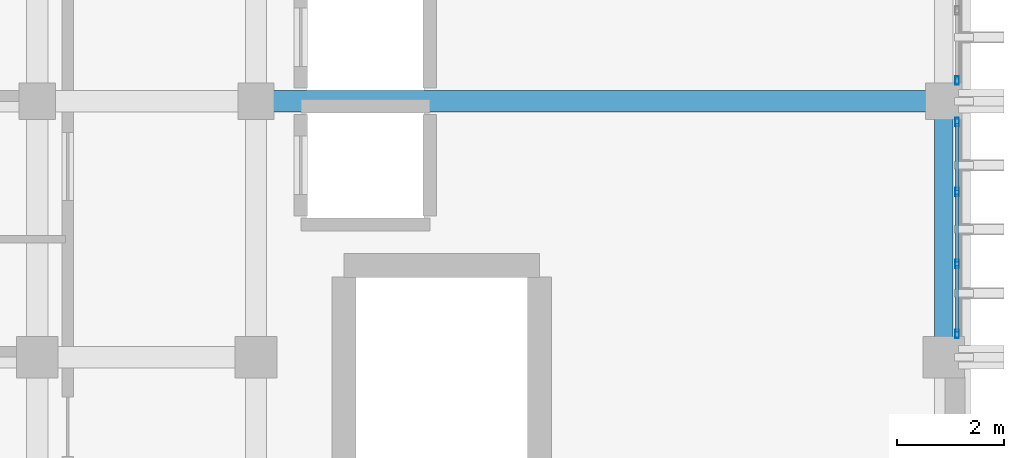
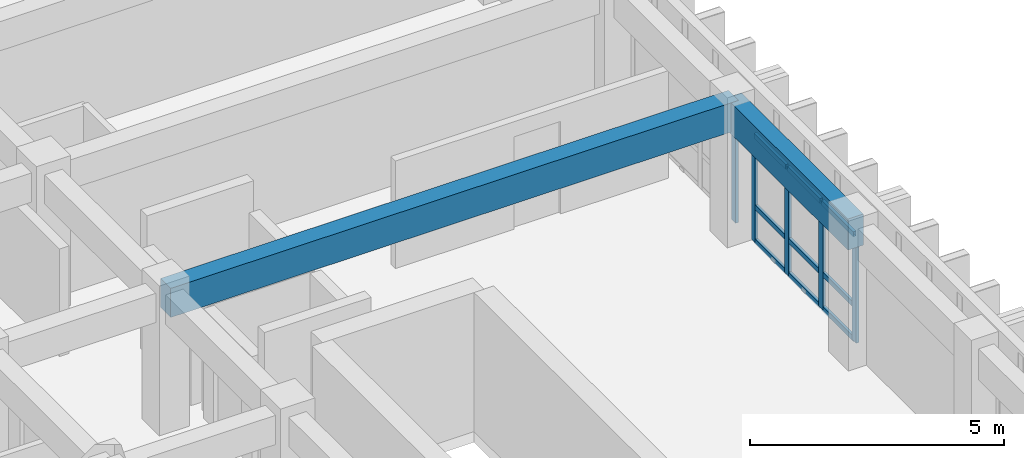
# One storey, part 22 of 68: 14 members, 2 beams, 2 elements without a shape of their own.
"""IFC4 building model written with IfcOpenShell, lengths in metres."""

from ifc_helpers import new_model, si_unit, direction, frame, origin, origin_2d, place, context, subcontext, project, spatial, rectangle, hollow_rectangle, extrude, material, layer, layer_set, material_profile, profile_set, type_object, element, aggregate, save


model = new_model("IFC4")

# Units and contexts
model_context = context("Model", 3, precision=1e-05, world=origin(), true_north=direction((0.0, 1.0)))
body_context = subcontext(model_context, "Body", "Model", "MODEL_VIEW")
ifc_project = project(units=[si_unit("LENGTHUNIT", "METRE"), si_unit("AREAUNIT", "SQUARE_METRE"), si_unit("VOLUMEUNIT", "CUBIC_METRE"), si_unit("PLANEANGLEUNIT", "RADIAN"), si_unit("MASSUNIT", "GRAM", prefix="KILO")], contexts=[model_context])

# Site, building, storey
site_placement = place(None, origin())
site = spatial("IfcSite", under=ifc_project, at=site_placement, CompositionType="ELEMENT")
building_placement = place(site_placement, origin())
building = spatial("IfcBuilding", under=site, at=building_placement, Name="Nakhvara Creek Congress Hotel", CompositionType="ELEMENT")
storey_placement = place(building_placement, frame((0.0, 0.0, 24.60009765625)))
storey = spatial("IfcBuildingStorey", under=building, at=storey_placement, Name="L05", CompositionType="ELEMENT", Elevation=24.60009765625)

# Beams
ifc_material_1 = material(Name="Concrete C40/50", Category="concrete")
ifc_material_profile_1 = material_profile(ifc_material_1, rectangle(XDim=0.39990234375, YDim=0.699951171875, at=origin_2d()), Name="RC-BM 400x700", Category="LoadBearing")
ifc_profile_set_1 = profile_set([ifc_material_profile_1], Name="Concrete C40/50")
beam_type_1 = type_object("IfcBeamType", Name="BM-RC-400X700", PredefinedType="BEAM", material=ifc_profile_set_1)
beam_1_placement = place(storey_placement, frame((166.449951171875, 62.39990234375, 2.989990234375), z_axis=(1.0, 0.0, 0.0), x_axis=(0.0, 1.0, 0.0)))
element("IfcBeam", 1, at=beam_1_placement, inside=storey, type_object=beam_type_1, Name="Beam B05-L05-2186", PredefinedType="BEAM", context=body_context, shape_type="SweptSolid", body=[
    extrude(rectangle(XDim=0.39990234375, YDim=0.699951171875, at=origin_2d()), origin(), (0.0, 0.0, 1.0), 12.900146484375),
])
ifc_material_profile_2 = material_profile(ifc_material_1, rectangle(XDim=0.35009765625, YDim=0.75, at=origin_2d()), Name="RC-SPANDREL 350x750", Category="LoadBearing")
ifc_profile_set_2 = profile_set([ifc_material_profile_2], Name="Concrete C40/50")
beam_type_2 = type_object("IfcBeamType", Name="BM-SPN-350X750", PredefinedType="SPANDREL", material=ifc_profile_set_2)
beam_2_placement = place(storey_placement, frame((179.35009765625, 57.60009765625, 2.96484375), z_axis=(0.0, 1.0, 0.0), x_axis=(-1.0, 0.0, 0.0)))
element("IfcBeam", 2, at=beam_2_placement, inside=storey, type_object=beam_type_2, Name="Beam SP1-L05-2153", PredefinedType="SPANDREL", context=body_context, shape_type="SweptSolid", body=[
    extrude(rectangle(XDim=0.35009765625, YDim=0.75, at=origin_2d()), origin(), (0.0, 0.0, 1.0), 4.7998046875),
])

# Curtain wall, members
ifc_material_2 = material(Name="Bronze-anodised aluminium AW-6063-T6 and double-silver low-E glass", Category="aluminium")
ifc_layer = layer(ifc_material_2, 0.199951171875)
ifc_layer_set = layer_set([ifc_layer], Name="Bronze-anodised aluminium AW-6063-T6 and double-silver low-E glass")
curtain_wall_type = type_object("IfcCurtainWallType", Name="CW-HTL-UNIT", PredefinedType="USERDEFINED", material=ifc_layer_set)
curtain_wall_1_placement = place(storey_placement, origin())
curtain_wall_1 = element("IfcCurtainWall", 3, at=curtain_wall_1_placement, inside=storey, type_object=curtain_wall_type, Name="Curtain Wall CW210", ObjectType="UNITISED", PredefinedType="USERDEFINED")
ifc_material_3 = material(Name="Bronze-anodised aluminium AW-6063-T6", Category="aluminium")
ifc_material_profile_3 = material_profile(ifc_material_3, hollow_rectangle(XDim=0.06494140625, YDim=0.159912109375, WallThickness=0.00390625, at=origin_2d()), Name="ALU-MULL 65x160x4", Category="LoadBearing")
ifc_profile_set_3 = profile_set([ifc_material_profile_3], Name="Bronze-anodised aluminium AW-6063-T6")
member_type_1 = type_object("IfcMemberType", Name="CW-MULL-160", PredefinedType="MULLION", material=ifc_profile_set_3)
member_1_placement = place(storey_placement, frame((179.60009765625, 62.012451171875, 0.0), z_axis=(0.0, 0.0, 1.0), x_axis=(1.0, 0.0, 0.0)))
member_1 = element("IfcMember", 4, at=member_1_placement, type_object=member_type_1, Name="CW210 mullion 1", PredefinedType="MULLION", context=body_context, shape_type="SweptSolid", body=[
    extrude(hollow_rectangle(XDim=0.06494140625, YDim=0.159912109375, WallThickness=0.00390625, at=origin_2d()), origin(), (0.0, 0.0, 1.0), 2.581787109375),
])
member_2_placement = place(storey_placement, frame((179.60009765625, 60.6982421875, 0.0), z_axis=(0.0, 0.0, 1.0), x_axis=(1.0, 0.0, 0.0)))
member_2 = element("IfcMember", 5, at=member_2_placement, type_object=member_type_1, Name="CW210 mullion 2", PredefinedType="MULLION", context=body_context, shape_type="SweptSolid", body=[
    extrude(hollow_rectangle(XDim=0.06494140625, YDim=0.159912109375, WallThickness=0.00390625, at=origin_2d()), origin(), (0.0, 0.0, 1.0), 2.581787109375),
])
member_3_placement = place(storey_placement, frame((179.60009765625, 59.3515625, 0.0), z_axis=(0.0, 0.0, 1.0), x_axis=(1.0, 0.0, 0.0)))
member_3 = element("IfcMember", 6, at=member_3_placement, type_object=member_type_1, Name="CW210 mullion 3", PredefinedType="MULLION", context=body_context, shape_type="SweptSolid", body=[
    extrude(hollow_rectangle(XDim=0.06494140625, YDim=0.159912109375, WallThickness=0.00390625, at=origin_2d()), origin(), (0.0, 0.0, 1.0), 2.581787109375),
])
member_4_placement = place(storey_placement, frame((179.60009765625, 58.03759765625, 0.0), z_axis=(0.0, 0.0, 1.0), x_axis=(1.0, 0.0, 0.0)))
member_4 = element("IfcMember", 7, at=member_4_placement, type_object=member_type_1, Name="CW210 mullion 4", PredefinedType="MULLION", context=body_context, shape_type="SweptSolid", body=[
    extrude(hollow_rectangle(XDim=0.06494140625, YDim=0.159912109375, WallThickness=0.00390625, at=origin_2d()), origin(), (0.0, 0.0, 1.0), 2.581787109375),
])

# Curtain wall, member
curtain_wall_2_placement = place(storey_placement, origin())
curtain_wall_2 = element("IfcCurtainWall", 8, at=curtain_wall_2_placement, inside=storey, type_object=curtain_wall_type, Name="Curtain Wall CW212", ObjectType="UNITISED", PredefinedType="USERDEFINED")
member_5_placement = place(storey_placement, frame((179.60009765625, 62.78759765625, 0.0), z_axis=(0.0, 0.0, 1.0), x_axis=(1.0, 0.0, 0.0)))
member_5 = element("IfcMember", 9, at=member_5_placement, type_object=member_type_1, Name="CW212 mullion 4", PredefinedType="MULLION", context=body_context, shape_type="SweptSolid", body=[
    extrude(hollow_rectangle(XDim=0.06494140625, YDim=0.159912109375, WallThickness=0.00390625, at=origin_2d()), origin(), (0.0, 0.0, 1.0), 2.581787109375),
])
aggregate(curtain_wall_2, [member_5])

# Member
ifc_material_profile_4 = material_profile(ifc_material_3, hollow_rectangle(XDim=0.06494140625, YDim=0.1201171875, WallThickness=0.00390625, at=origin_2d()), Name="ALU-TRAN 65x120x4", Category="LoadBearing")
ifc_profile_set_4 = profile_set([ifc_material_profile_4], Name="Bronze-anodised aluminium AW-6063-T6")
member_type_2 = type_object("IfcMemberType", Name="CW-TRAN-120", PredefinedType="USERDEFINED", material=ifc_profile_set_4)
member_6_placement = place(storey_placement, frame((179.60009765625, 61.97998046875, 0.032470703125), z_axis=(0.0, -1.0, 0.0), x_axis=(1.0, 0.0, 0.0)))
member_6 = element("IfcMember", 10, at=member_6_placement, type_object=member_type_2, Name="CW210 transom 1.1", ObjectType="TRANSOM", PredefinedType="USERDEFINED", context=body_context, shape_type="SweptSolid", body=[
    extrude(hollow_rectangle(XDim=0.06494140625, YDim=0.1201171875, WallThickness=0.00390625, at=origin_2d()), origin(), (0.0, 0.0, 1.0), 1.249267578125),
])

member_7_placement = place(storey_placement, frame((179.60009765625, 61.97998046875, 0.849853515625), z_axis=(0.0, -1.0, 0.0), x_axis=(1.0, 0.0, 0.0)))
member_7 = element("IfcMember", 11, at=member_7_placement, type_object=member_type_2, Name="CW210 transom 1.2", ObjectType="TRANSOM", PredefinedType="USERDEFINED", context=body_context, shape_type="SweptSolid", body=[
    extrude(hollow_rectangle(XDim=0.06494140625, YDim=0.1201171875, WallThickness=0.00390625, at=origin_2d()), origin(), (0.0, 0.0, 1.0), 1.249267578125),
])

member_8_placement = place(storey_placement, frame((179.60009765625, 61.97998046875, 2.54931640625), z_axis=(0.0, -1.0, 0.0), x_axis=(1.0, 0.0, 0.0)))
member_8 = element("IfcMember", 12, at=member_8_placement, type_object=member_type_2, Name="CW210 transom 1.3", ObjectType="TRANSOM", PredefinedType="USERDEFINED", context=body_context, shape_type="SweptSolid", body=[
    extrude(hollow_rectangle(XDim=0.06494140625, YDim=0.1201171875, WallThickness=0.00390625, at=origin_2d()), origin(), (0.0, 0.0, 1.0), 1.249267578125),
])

member_9_placement = place(storey_placement, frame((179.60009765625, 60.665771484375, 0.032470703125), z_axis=(0.0, -1.0, 0.0), x_axis=(1.0, 0.0, 0.0)))
member_9 = element("IfcMember", 13, at=member_9_placement, type_object=member_type_2, Name="CW210 transom 2.1", ObjectType="TRANSOM", PredefinedType="USERDEFINED", context=body_context, shape_type="SweptSolid", body=[
    extrude(hollow_rectangle(XDim=0.06494140625, YDim=0.1201171875, WallThickness=0.00390625, at=origin_2d()), origin(), (0.0, 0.0, 1.0), 1.281494140625),
])

member_10_placement = place(storey_placement, frame((179.60009765625, 60.665771484375, 0.849853515625), z_axis=(0.0, -1.0, 0.0), x_axis=(1.0, 0.0, 0.0)))
member_10 = element("IfcMember", 14, at=member_10_placement, type_object=member_type_2, Name="CW210 transom 2.2", ObjectType="TRANSOM", PredefinedType="USERDEFINED", context=body_context, shape_type="SweptSolid", body=[
    extrude(hollow_rectangle(XDim=0.06494140625, YDim=0.1201171875, WallThickness=0.00390625, at=origin_2d()), origin(), (0.0, 0.0, 1.0), 1.281494140625),
])

member_11_placement = place(storey_placement, frame((179.60009765625, 60.665771484375, 2.54931640625), z_axis=(0.0, -1.0, 0.0), x_axis=(1.0, 0.0, 0.0)))
member_11 = element("IfcMember", 15, at=member_11_placement, type_object=member_type_2, Name="CW210 transom 2.3", ObjectType="TRANSOM", PredefinedType="USERDEFINED", context=body_context, shape_type="SweptSolid", body=[
    extrude(hollow_rectangle(XDim=0.06494140625, YDim=0.1201171875, WallThickness=0.00390625, at=origin_2d()), origin(), (0.0, 0.0, 1.0), 1.281494140625),
])

member_12_placement = place(storey_placement, frame((179.60009765625, 59.319091796875, 0.032470703125), z_axis=(0.0, -1.0, 0.0), x_axis=(1.0, 0.0, 0.0)))
member_12 = element("IfcMember", 16, at=member_12_placement, type_object=member_type_2, Name="CW210 transom 3.1", ObjectType="TRANSOM", PredefinedType="USERDEFINED", context=body_context, shape_type="SweptSolid", body=[
    extrude(hollow_rectangle(XDim=0.06494140625, YDim=0.1201171875, WallThickness=0.00390625, at=origin_2d()), origin(), (0.0, 0.0, 1.0), 1.2490234375),
])

member_13_placement = place(storey_placement, frame((179.60009765625, 59.319091796875, 0.849853515625), z_axis=(0.0, -1.0, 0.0), x_axis=(1.0, 0.0, 0.0)))
member_13 = element("IfcMember", 17, at=member_13_placement, type_object=member_type_2, Name="CW210 transom 3.2", ObjectType="TRANSOM", PredefinedType="USERDEFINED", context=body_context, shape_type="SweptSolid", body=[
    extrude(hollow_rectangle(XDim=0.06494140625, YDim=0.1201171875, WallThickness=0.00390625, at=origin_2d()), origin(), (0.0, 0.0, 1.0), 1.2490234375),
])

member_14_placement = place(storey_placement, frame((179.60009765625, 59.319091796875, 2.54931640625), z_axis=(0.0, -1.0, 0.0), x_axis=(1.0, 0.0, 0.0)))
member_14 = element("IfcMember", 18, at=member_14_placement, type_object=member_type_2, Name="CW210 transom 3.3", ObjectType="TRANSOM", PredefinedType="USERDEFINED", context=body_context, shape_type="SweptSolid", body=[
    extrude(hollow_rectangle(XDim=0.06494140625, YDim=0.1201171875, WallThickness=0.00390625, at=origin_2d()), origin(), (0.0, 0.0, 1.0), 1.2490234375),
])

aggregate(curtain_wall_1, [member_1, member_2, member_3, member_4, member_6, member_7, member_8, member_9, member_10, member_11, member_12, member_13, member_14])

save(model, "model.ifc")
